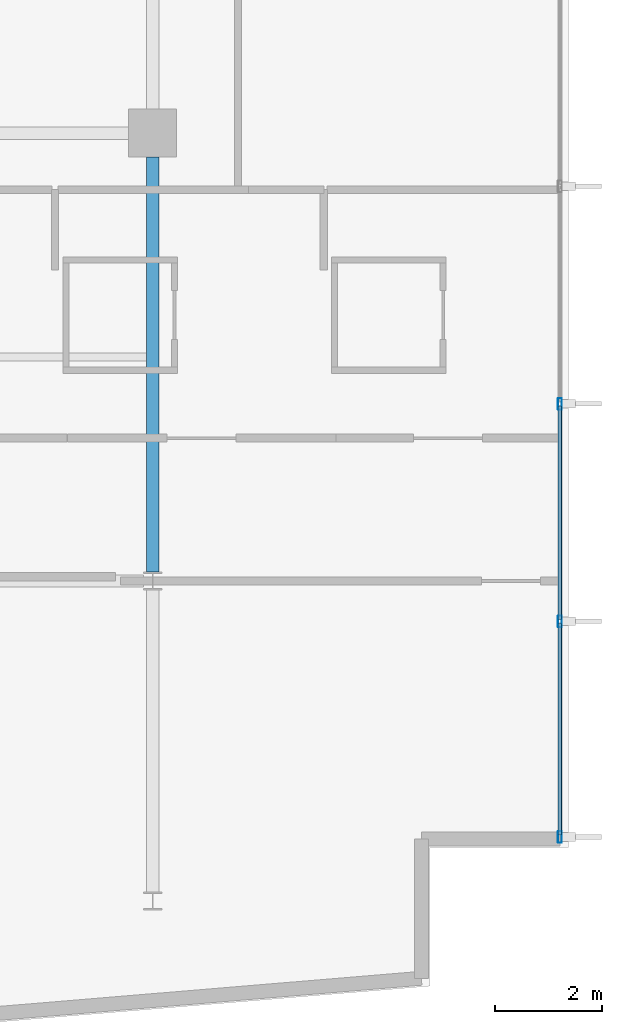
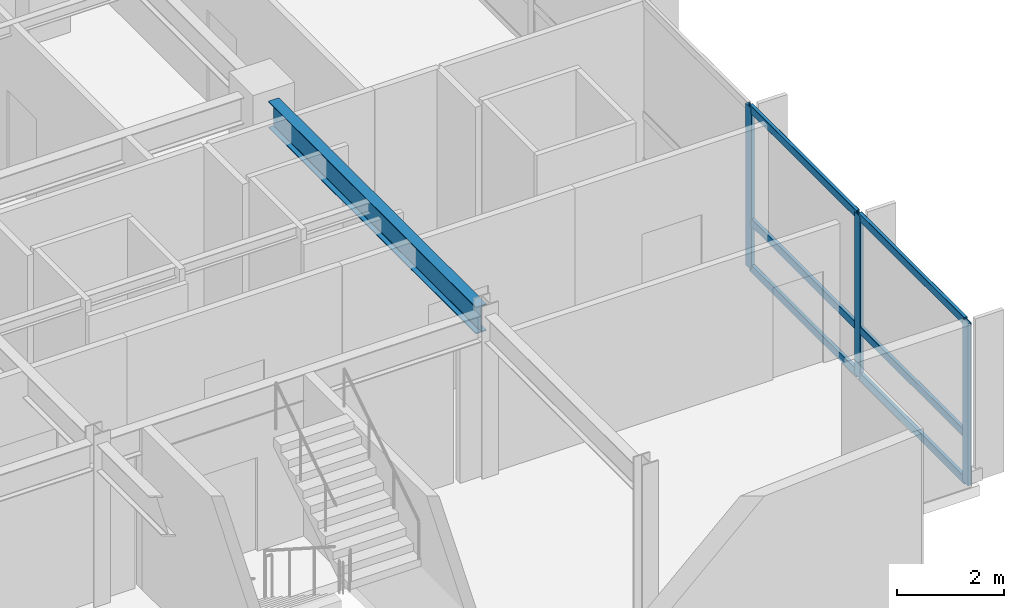
# One storey, part 5 of 20: 9 members, 1 beam, 1 element without a shape of its own.
"""IFC4 building model written with IfcOpenShell, lengths in metres."""

from ifc_helpers import new_model, si_unit, direction, frame, origin, origin_2d, place, context, subcontext, project, spatial, hollow_rectangle, i_section, extrude, material, layer, layer_set, material_profile, profile_set, type_object, element, aggregate, save


model = new_model("IFC4")

# Units and contexts
model_context = context("Model", 3, precision=1e-05, world=origin(), true_north=direction((0.0, 1.0)))
body_context = subcontext(model_context, "Body", "Model", "MODEL_VIEW")
ifc_project = project(units=[si_unit("LENGTHUNIT", "METRE"), si_unit("AREAUNIT", "SQUARE_METRE"), si_unit("VOLUMEUNIT", "CUBIC_METRE"), si_unit("PLANEANGLEUNIT", "RADIAN"), si_unit("MASSUNIT", "GRAM", prefix="KILO")], contexts=[model_context])

# Site, building, storey
site_placement = place(None, origin())
site = spatial("IfcSite", under=ifc_project, at=site_placement, CompositionType="ELEMENT")
building_placement = place(site_placement, origin())
building = spatial("IfcBuilding", under=site, at=building_placement, Name="Varnakote Quay Hospital", CompositionType="ELEMENT")
storey_placement = place(building_placement, frame((0.0, 0.0, 58.050048828125)))
storey = spatial("IfcBuildingStorey", under=building, at=storey_placement, Name="L14", CompositionType="ELEMENT", Elevation=58.050048828125)

# Beam
ifc_material_1 = material(Name="Structural steel AS/NZS 3679.1 Grade 350 L0 (fy 340 MPa)", Category="steel")
ifc_material_profile_1 = material_profile(ifc_material_1, i_section(OverallWidth=0.22900390625, OverallDepth=0.612060546875, WebThickness=0.011962890625, FlangeThickness=0.01953125, FilletRadius=0.013916015625, at=origin_2d()), Name="610UB125")
ifc_profile_set_1 = profile_set([ifc_material_profile_1], Name="Structural steel AS/NZS 3679.1 Grade 350 L0 (fy 340 MPa)")
beam_type = type_object("IfcBeamType", Name="BM-STL-610UB125", PredefinedType="BEAM", material=ifc_profile_set_1)
beam_placement = place(storey_placement, frame((50.39990234375, 12.169921875, 3.404052734375), z_axis=(0.0, 1.0, 0.0), x_axis=(-1.0, 0.0, 0.0)))
element("IfcBeam", 1, at=beam_placement, inside=storey, type_object=beam_type, Name="L14 Primary Tie Beam", PredefinedType="BEAM", context=body_context, shape_type="SweptSolid", body=[
    extrude(i_section(OverallWidth=0.22900390625, OverallDepth=0.612060546875, WebThickness=0.011962890625, FlangeThickness=0.01953125, FilletRadius=0.013916015625, at=origin_2d()), origin(), (0.0, 0.0, 1.0), 7.780029296875),
])

# Curtain wall, members
ifc_material_2 = material(Name="Anodised aluminium 6063-T6 Bronze", Category="aluminium")
ifc_layer = layer(ifc_material_2, 0.18994140625)
ifc_layer_set = layer_set([ifc_layer], Name="Anodised aluminium 6063-T6 Bronze")
curtain_wall_type = type_object("IfcCurtainWallType", Name="CW-SYS-2", PredefinedType="NOTDEFINED", material=ifc_layer_set)
curtain_wall_placement = place(storey_placement, origin())
curtain_wall = element("IfcCurtainWall", 2, at=curtain_wall_placement, inside=storey, type_object=curtain_wall_type, Name="L14 Unitised Bronze Curtain Wall 1", PredefinedType="NOTDEFINED")
ifc_material_3 = material(Name="Anodised aluminium 6063-T6 Bronze", Category="aluminium")
ifc_material_profile_2 = material_profile(ifc_material_3, hollow_rectangle(XDim=0.074951171875, YDim=0.219970703125, WallThickness=0.00439453125, InnerFilletRadius=0.00439453125, OuterFilletRadius=0.009033203125, at=origin_2d()), Name="CW-MULL-220x75")
ifc_profile_set_2 = profile_set([ifc_material_profile_2], Name="Anodised aluminium 6063-T6 Bronze")
member_type_1 = type_object("IfcMemberType", Name="CW-MULL-220x75", PredefinedType="MULLION", material=ifc_profile_set_2)
member_1_placement = place(storey_placement, frame((58.0400390625, 7.197509765625, 0.0), z_axis=(0.0, 0.0, 1.0), x_axis=(-1.0, 0.0, 0.0)))
member_1 = element("IfcMember", 3, at=member_1_placement, type_object=member_type_1, Name="-2-L14-1 mullion 1", PredefinedType="MULLION", context=body_context, shape_type="SweptSolid", body=[
    extrude(hollow_rectangle(XDim=0.074951171875, YDim=0.219970703125, WallThickness=0.00439453125, InnerFilletRadius=0.00439453125, OuterFilletRadius=0.009033203125, at=origin_2d()), origin(), (0.0, 0.0, 1.0), 3.7099609375),
])
member_2_placement = place(storey_placement, frame((58.0400390625, 11.239990234375, 0.0), z_axis=(0.0, 0.0, 1.0), x_axis=(-1.0, 0.0, 0.0)))
member_2 = element("IfcMember", 4, at=member_2_placement, type_object=member_type_1, Name="-2-L14-1 mullion 2", PredefinedType="MULLION", context=body_context, shape_type="SweptSolid", body=[
    extrude(hollow_rectangle(XDim=0.074951171875, YDim=0.219970703125, WallThickness=0.00439453125, InnerFilletRadius=0.00439453125, OuterFilletRadius=0.009033203125, at=origin_2d()), origin(), (0.0, 0.0, 1.0), 3.7099609375),
])
member_3_placement = place(storey_placement, frame((58.0400390625, 15.320068359375, 0.0), z_axis=(0.0, 0.0, 1.0), x_axis=(-1.0, 0.0, 0.0)))
member_3 = element("IfcMember", 5, at=member_3_placement, type_object=member_type_1, Name="-2-L14-1 mullion 3", PredefinedType="MULLION", context=body_context, shape_type="SweptSolid", body=[
    extrude(hollow_rectangle(XDim=0.074951171875, YDim=0.219970703125, WallThickness=0.00439453125, InnerFilletRadius=0.00439453125, OuterFilletRadius=0.009033203125, at=origin_2d()), origin(), (0.0, 0.0, 1.0), 3.7099609375),
])
ifc_material_4 = material(Name="Anodised aluminium 6063-T6 Bronze", Category="aluminium")
ifc_material_profile_3 = material_profile(ifc_material_4, hollow_rectangle(XDim=0.074951171875, YDim=0.179931640625, WallThickness=0.004150390625, InnerFilletRadius=0.004150390625, OuterFilletRadius=0.00830078125, at=origin_2d()), Name="CW-TRAN-180x75")
ifc_profile_set_3 = profile_set([ifc_material_profile_3], Name="Anodised aluminium 6063-T6 Bronze")
member_type_2 = type_object("IfcMemberType", Name="CW-TRAN-180x75", PredefinedType="USERDEFINED", material=ifc_profile_set_3)
member_4_placement = place(storey_placement, frame((58.0400390625, 7.235107421875, 0.037353515625), z_axis=(0.0, 1.0, 0.0), x_axis=(-1.0, 0.0, 0.0)))
member_4 = element("IfcMember", 6, at=member_4_placement, type_object=member_type_2, Name="-2-L14-1 transom 1.1", ObjectType="TRANSOM", PredefinedType="USERDEFINED", context=body_context, shape_type="SweptSolid", body=[
    extrude(hollow_rectangle(XDim=0.074951171875, YDim=0.179931640625, WallThickness=0.004150390625, InnerFilletRadius=0.004150390625, OuterFilletRadius=0.00830078125, at=origin_2d()), origin(), (0.0, 0.0, 1.0), 3.96728515625),
])
member_5_placement = place(storey_placement, frame((58.0400390625, 7.235107421875, 1.099853515625), z_axis=(0.0, 1.0, 0.0), x_axis=(-1.0, 0.0, 0.0)))
member_5 = element("IfcMember", 7, at=member_5_placement, type_object=member_type_2, Name="-2-L14-1 transom 1.2", ObjectType="TRANSOM", PredefinedType="USERDEFINED", context=body_context, shape_type="SweptSolid", body=[
    extrude(hollow_rectangle(XDim=0.074951171875, YDim=0.179931640625, WallThickness=0.004150390625, InnerFilletRadius=0.004150390625, OuterFilletRadius=0.00830078125, at=origin_2d()), origin(), (0.0, 0.0, 1.0), 3.96728515625),
])
member_6_placement = place(storey_placement, frame((58.0400390625, 7.235107421875, 3.67236328125), z_axis=(0.0, 1.0, 0.0), x_axis=(-1.0, 0.0, 0.0)))
member_6 = element("IfcMember", 8, at=member_6_placement, type_object=member_type_2, Name="-2-L14-1 transom 1.3", ObjectType="TRANSOM", PredefinedType="USERDEFINED", context=body_context, shape_type="SweptSolid", body=[
    extrude(hollow_rectangle(XDim=0.074951171875, YDim=0.179931640625, WallThickness=0.004150390625, InnerFilletRadius=0.004150390625, OuterFilletRadius=0.00830078125, at=origin_2d()), origin(), (0.0, 0.0, 1.0), 3.96728515625),
])
member_7_placement = place(storey_placement, frame((58.0400390625, 11.277587890625, 0.037353515625), z_axis=(0.0, 1.0, 0.0), x_axis=(-1.0, 0.0, 0.0)))
member_7 = element("IfcMember", 9, at=member_7_placement, type_object=member_type_2, Name="-2-L14-1 transom 2.1", ObjectType="TRANSOM", PredefinedType="USERDEFINED", context=body_context, shape_type="SweptSolid", body=[
    extrude(hollow_rectangle(XDim=0.074951171875, YDim=0.179931640625, WallThickness=0.004150390625, InnerFilletRadius=0.004150390625, OuterFilletRadius=0.00830078125, at=origin_2d()), origin(), (0.0, 0.0, 1.0), 4.0048828125),
])
member_8_placement = place(storey_placement, frame((58.0400390625, 11.277587890625, 1.099853515625), z_axis=(0.0, 1.0, 0.0), x_axis=(-1.0, 0.0, 0.0)))
member_8 = element("IfcMember", 10, at=member_8_placement, type_object=member_type_2, Name="-2-L14-1 transom 2.2", ObjectType="TRANSOM", PredefinedType="USERDEFINED", context=body_context, shape_type="SweptSolid", body=[
    extrude(hollow_rectangle(XDim=0.074951171875, YDim=0.179931640625, WallThickness=0.004150390625, InnerFilletRadius=0.004150390625, OuterFilletRadius=0.00830078125, at=origin_2d()), origin(), (0.0, 0.0, 1.0), 4.0048828125),
])
member_9_placement = place(storey_placement, frame((58.0400390625, 11.277587890625, 3.67236328125), z_axis=(0.0, 1.0, 0.0), x_axis=(-1.0, 0.0, 0.0)))
member_9 = element("IfcMember", 11, at=member_9_placement, type_object=member_type_2, Name="-2-L14-1 transom 2.3", ObjectType="TRANSOM", PredefinedType="USERDEFINED", context=body_context, shape_type="SweptSolid", body=[
    extrude(hollow_rectangle(XDim=0.074951171875, YDim=0.179931640625, WallThickness=0.004150390625, InnerFilletRadius=0.004150390625, OuterFilletRadius=0.00830078125, at=origin_2d()), origin(), (0.0, 0.0, 1.0), 4.0048828125),
])
aggregate(curtain_wall, [member_1, member_2, member_3, member_4, member_5, member_6, member_7, member_8, member_9])

save(model, "model.ifc")
